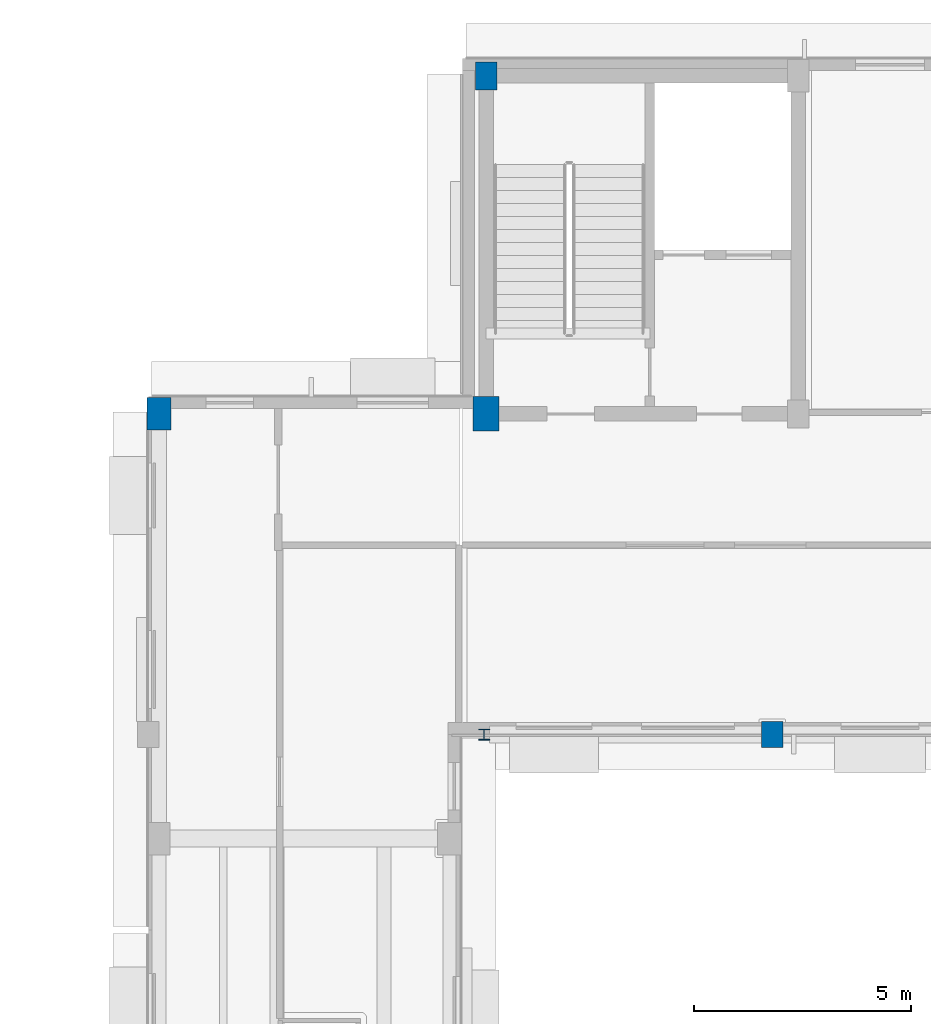
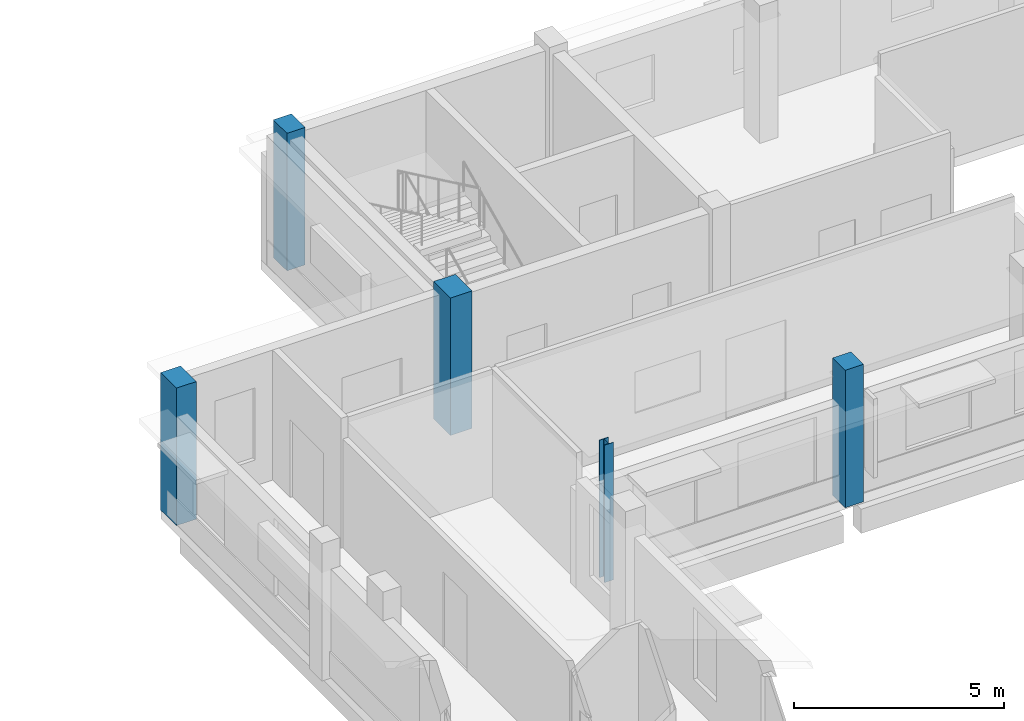
# One storey, part 11 of 89: 5 columns.
"""IFC4 building model written with IfcOpenShell, lengths in metres."""

import ifcopenshell
import ifcopenshell.guid

model = None  # the IFC model being written
_history = None  # IfcOwnerHistory: only IFC2X3 demands one
_inside = {}  # id of a spatial element -> (the spatial element, [elements in it])
_under = {}  # id of a project, library or spatial element -> (it, [spatial elements below it])
_declared = {}  # id of a project -> (the project, [libraries it declares])
_typed = {}  # id of a type object -> (the type object, [elements of that type])
_made_of = {}  # id of a material, layer set ... -> (it, [elements and type objects made of it])


def new_model(schema):
    """Start an empty IFC model of exactly this schema.

    Asked for "IFC4X3", IfcOpenShell would pick the latest addendum, in which some entities
    have other attributes; the version numbers below select the first issue.
    IFC2X3 requires an IfcOwnerHistory on every rooted entity: one is made here for all.
    """
    global model, _history
    if schema == "IFC4X3":
        model = ifcopenshell.file(schema_version=(4, 3, 0, 0))
    else:
        model = ifcopenshell.file(schema=schema)
    _inside.clear()
    _under.clear()
    _declared.clear()
    _typed.clear()
    _made_of.clear()
    _history = None
    if model.schema == "IFC2X3":
        org = make("IfcOrganization", Name="unknown")
        user = make(
            "IfcPersonAndOrganization",
            ThePerson=make("IfcPerson", FamilyName="unknown"),
            TheOrganization=org,
        )
        app = make(
            "IfcApplication",
            ApplicationDeveloper=org,
            Version="unknown",
            ApplicationFullName="unknown",
            ApplicationIdentifier="unknown",
        )
        _history = make(
            "IfcOwnerHistory",
            OwningUser=user,
            OwningApplication=app,
            ChangeAction="ADDED",
            CreationDate=0,
        )
    return model


def make(cls, **values):
    """One entity of the class cls with the attributes given. An attribute that is None is left unset."""
    return model.create_entity(
        cls, **{name: value for name, value in values.items() if value is not None}
    )


def rooted(cls, **values):
    """An entity with a GlobalId (a new one), such as an element, a storey or a relation."""
    return make(cls, GlobalId=ifcopenshell.guid.new(), OwnerHistory=_history, **values)


def si_unit(unit_type, name, prefix=None):
    """IfcSIUnit, for example si_unit("LENGTHUNIT", "METRE", prefix="MILLI")."""
    return make("IfcSIUnit", UnitType=unit_type, Prefix=prefix, Name=name)


def assignment(units):
    """IfcUnitAssignment: the units of a project."""
    return None if units is None else make("IfcUnitAssignment", Units=units)


def point(xyz):
    """IfcCartesianPoint."""
    return None if xyz is None else make("IfcCartesianPoint", Coordinates=xyz)


def direction(xyz):
    """IfcDirection."""
    return None if xyz is None else make("IfcDirection", DirectionRatios=xyz)


def frame(location, z_axis=None, x_axis=None):
    """IfcAxis2Placement3D, a coordinate frame: its origin and axes. An axis left out is left unset."""
    return make(
        "IfcAxis2Placement3D",
        Location=point(location),
        Axis=direction(z_axis),
        RefDirection=direction(x_axis),
    )


def frame_2d(location, x_axis=None):
    """IfcAxis2Placement2D, a coordinate frame in the plane: its origin and x axis."""
    return make(
        "IfcAxis2Placement2D", Location=point(location), RefDirection=direction(x_axis)
    )


def origin():
    """The frame at (0, 0, 0) with its axes left unset."""
    return frame((0.0, 0.0, 0.0))


def origin_2d():
    """The frame at (0, 0) in the plane with its x axis left unset."""
    return frame_2d((0.0, 0.0))


def place(relative_to, where):
    """IfcLocalPlacement: puts the frame where relative to a parent placement (None: the world)."""
    return make(
        "IfcLocalPlacement", PlacementRelTo=relative_to, RelativePlacement=where
    )


def context(
    kind, dimensions, precision=None, world=None, true_north=None, identifier=None
):
    """IfcGeometricRepresentationContext, for example the 3D "Model" context."""
    return make(
        "IfcGeometricRepresentationContext",
        ContextIdentifier=identifier,
        ContextType=kind,
        CoordinateSpaceDimension=dimensions,
        Precision=precision,
        WorldCoordinateSystem=world,
        TrueNorth=true_north,
    )


def subcontext(parent, identifier, kind, view, scale=None):
    """IfcGeometricRepresentationSubContext, for example "Body" below "Model"."""
    return make(
        "IfcGeometricRepresentationSubContext",
        ContextIdentifier=identifier,
        ContextType=kind,
        ParentContext=parent,
        TargetScale=scale,
        TargetView=view,
    )


def project(units=None, contexts=None):
    """IfcProject with its units and contexts."""
    return rooted(
        "IfcProject",
        Name="project",
        RepresentationContexts=contexts,
        UnitsInContext=assignment(units),
    )


def spatial(cls, under=None, at=None, **own):
    """A site, building, storey or space (cls), placed at a placement, below another one or the project."""
    s = rooted(cls, ObjectPlacement=at, **own)
    if under is not None:
        _under.setdefault(under.id(), (under, []))[1].append(s)
    return s


def profile(cls, at=None, kind="AREA", **sizes):
    """A parametric profile (cls). Its sizes go by their IFC names, for example OverallWidth=200.0."""
    return make(cls, ProfileType=kind, Position=at, **sizes)


def rectangle(**sizes):
    """IfcRectangleProfileDef."""
    return profile("IfcRectangleProfileDef", **sizes)


def i_section(**sizes):
    """IfcIShapeProfileDef."""
    return profile("IfcIShapeProfileDef", **sizes)


def extrude(swept, where, along, depth):
    """IfcExtrudedAreaSolid: the profile swept, set in the frame where, extruded along a direction by depth."""
    return make(
        "IfcExtrudedAreaSolid",
        SweptArea=swept,
        Position=where,
        ExtrudedDirection=direction(along),
        Depth=depth,
    )


def shape(context_of_items, identifier, shape_type, items):
    """IfcShapeRepresentation: the items that make up one representation, for example the "Body"."""
    return make(
        "IfcShapeRepresentation",
        ContextOfItems=context_of_items,
        RepresentationIdentifier=identifier,
        RepresentationType=shape_type,
        Items=items,
    )


def material(Name=None, Category=None):
    """IfcMaterial."""
    return make("IfcMaterial", Name=Name, Category=Category)


def material_profile(
    of_material, cross_section, Name=None, Category=None, Priority=None
):
    """IfcMaterialProfile: a cross section and its material."""
    return make(
        "IfcMaterialProfile",
        Name=Name,
        Material=of_material,
        Profile=cross_section,
        Priority=Priority,
        Category=Category,
    )


def profile_set(profiles, Name=None, composite=None):
    """IfcMaterialProfileSet."""
    return make(
        "IfcMaterialProfileSet",
        Name=Name,
        MaterialProfiles=profiles,
        CompositeProfile=composite,
    )


def made_of(thing, what):
    """Note that an element or type object is made of a material, layer set ...; save() writes the relation."""
    if what is not None:
        _made_of.setdefault(what.id(), (what, []))[1].append(thing)
    return thing


def type_object(cls, material=None, **own):
    """A type object (cls), such as IfcWallType, which elements share."""
    return made_of(rooted(cls, **own), material)


def element(
    cls,
    number,
    at=None,
    inside=None,
    cuts=None,
    type_object=None,
    material=None,
    context=None,
    identifier="Body",
    shape_type=None,
    held_by="IfcProductDefinitionShape",
    body=None,
    shapes=None,
    **own,
):
    """One element of the class cls, such as IfcWall. Its Tag is "e" and its number.

    at: its placement. inside: the storey or other place that contains it. cuts: it is an
    opening in that element (IfcRelVoidsElement). A single representation is given by context,
    identifier, shape_type and body (its items); several are given by shapes. held_by: the class
    of the entity that holds the representations. save() writes the other relations.
    """
    e = rooted(cls, Tag="e%d" % number, ObjectPlacement=at, **own)
    if body is not None:
        shapes = [shape(context, identifier, shape_type, body)]
    if shapes is not None:
        e.Representation = make(held_by, Representations=shapes)
    if inside is not None:
        _inside.setdefault(inside.id(), (inside, []))[1].append(e)
    if cuts is not None:
        rooted(
            "IfcRelVoidsElement", RelatingBuildingElement=cuts, RelatedOpeningElement=e
        )
    if type_object is not None:
        _typed.setdefault(type_object.id(), (type_object, []))[1].append(e)
    return made_of(e, material)


def aggregate(whole, parts):
    """IfcRelAggregates: a whole, such as a stair, and the parts it consists of."""
    return rooted("IfcRelAggregates", RelatingObject=whole, RelatedObjects=parts)


def save(model, path):
    """Write the relations noted so far, then the file.

    IfcRelAggregates (storeys below a building ...), IfcRelContainedInSpatialStructure (elements
    in a storey), IfcRelDefinesByType, IfcRelAssociatesMaterial and IfcRelDeclares: one each for
    every whole, place, type object, material and project.
    """
    for whole, parts in _under.values():
        aggregate(whole, parts)
    for where, things in _inside.values():
        rooted(
            "IfcRelContainedInSpatialStructure",
            RelatedElements=things,
            RelatingStructure=where,
        )
    for kind, things in _typed.values():
        rooted("IfcRelDefinesByType", RelatedObjects=things, RelatingType=kind)
    for what, things in _made_of.values():
        rooted("IfcRelAssociatesMaterial", RelatedObjects=things, RelatingMaterial=what)
    for by, libraries in _declared.values():
        rooted("IfcRelDeclares", RelatingContext=by, RelatedDefinitions=libraries)
    model.write(path)


model = new_model("IFC4")

# Units and contexts
model_context = context("Model", 3, precision=1e-05, world=origin(), true_north=direction((0.0, 1.0)))
body_context = subcontext(model_context, "Body", "Model", "MODEL_VIEW")
ifc_project = project(units=[si_unit("LENGTHUNIT", "METRE"), si_unit("AREAUNIT", "SQUARE_METRE"), si_unit("VOLUMEUNIT", "CUBIC_METRE"), si_unit("PLANEANGLEUNIT", "RADIAN"), si_unit("MASSUNIT", "GRAM", prefix="KILO")], contexts=[model_context])

# Site, building, storey
site_placement = place(None, origin())
site = spatial("IfcSite", under=ifc_project, at=site_placement, CompositionType="ELEMENT")
building_placement = place(site_placement, origin())
building = spatial("IfcBuilding", under=site, at=building_placement, Name="Kelanivale Promenade Academy", CompositionType="ELEMENT")
storey_placement = place(building_placement, frame((0.0, 0.0, 12.199951171875)))
storey = spatial("IfcBuildingStorey", under=building, at=storey_placement, Name="L03", CompositionType="ELEMENT", Elevation=12.199951171875)

# Columns
ifc_material_1 = material(Name="Concrete C40/50", Category="concrete")
ifc_material_profile_1 = material_profile(ifc_material_1, rectangle(XDim=0.5, YDim=0.64990234375, at=origin_2d()), Name="RC-COL 500x650")
ifc_profile_set_1 = profile_set([ifc_material_profile_1], Name="Concrete C40/50")
column_type_1 = type_object("IfcColumnType", Name="C-11 RC-COL 500x650", PredefinedType="COLUMN", material=ifc_profile_set_1)
column_1_placement = place(storey_placement, frame((123.39990234375, 111.60009765625, 0.0), z_axis=(0.0, 0.0, 1.0), x_axis=(1.0, 0.0, 0.0)))
element("IfcColumn", 1, at=column_1_placement, inside=storey, type_object=column_type_1, Name="Column C-11 at (123.4, 111.6) L03", PredefinedType="COLUMN", context=body_context, shape_type="SweptSolid", body=[
    extrude(rectangle(XDim=0.5, YDim=0.64990234375, at=origin_2d()), origin(), (0.0, 0.0, 1.0), 4.0),
])
ifc_material_profile_2 = material_profile(ifc_material_1, rectangle(XDim=0.550048828125, YDim=0.75, at=origin_2d()), Name="RC-COL 550x750")
ifc_profile_set_2 = profile_set([ifc_material_profile_2], Name="Concrete C40/50")
column_type_2 = type_object("IfcColumnType", Name="C-13 RC-COL 550x750", PredefinedType="COLUMN", material=ifc_profile_set_2)
column_2_placement = place(storey_placement, frame((115.85009765625, 103.800048828125, 0.0), z_axis=(0.0, 0.0, 1.0), x_axis=(1.0, 0.0, 0.0)))
element("IfcColumn", 2, at=column_2_placement, inside=storey, type_object=column_type_2, Name="Column C-13 at (115.8, 103.8) L03", PredefinedType="COLUMN", context=body_context, shape_type="SweptSolid", body=[
    extrude(rectangle(XDim=0.550048828125, YDim=0.75, at=origin_2d()), origin(), (0.0, 0.0, 1.0), 4.0),
])
ifc_material_profile_3 = material_profile(ifc_material_1, rectangle(XDim=0.60009765625, YDim=0.800048828125, at=origin_2d()), Name="RC-COL 600x800")
ifc_profile_set_3 = profile_set([ifc_material_profile_3], Name="Concrete C40/50")
column_type_3 = type_object("IfcColumnType", Name="C-14 RC-COL 600x800", PredefinedType="COLUMN", material=ifc_profile_set_3)
column_3_placement = place(storey_placement, frame((123.39990234375, 103.800048828125, 0.0), z_axis=(0.0, 0.0, 1.0), x_axis=(1.0, 0.0, 0.0)))
element("IfcColumn", 3, at=column_3_placement, inside=storey, type_object=column_type_3, Name="Column C-14 at (123.4, 103.8) L03", PredefinedType="COLUMN", context=body_context, shape_type="SweptSolid", body=[
    extrude(rectangle(XDim=0.60009765625, YDim=0.800048828125, at=origin_2d()), origin(), (0.0, 0.0, 1.0), 4.0),
])
ifc_material_profile_4 = material_profile(ifc_material_1, rectangle(XDim=0.5, YDim=0.60009765625, at=origin_2d()), Name="RC-PIL 500x600")
ifc_profile_set_4 = profile_set([ifc_material_profile_4], Name="Concrete C40/50")
column_type_4 = type_object("IfcColumnType", Name="PL-18 RC-PIL 500x600", PredefinedType="PILASTER", material=ifc_profile_set_4)
column_4_placement = place(storey_placement, frame((130.0, 96.39990234375, 0.0), z_axis=(0.0, 0.0, 1.0), x_axis=(1.0, 0.0, 0.0)))
element("IfcColumn", 4, at=column_4_placement, inside=storey, type_object=column_type_4, Name="Column PL-18 at (130.0, 96.4) L03", PredefinedType="PILASTER", context=body_context, shape_type="SweptSolid", body=[
    extrude(rectangle(XDim=0.5, YDim=0.60009765625, at=origin_2d()), origin(), (0.0, 0.0, 1.0), 4.0),
])
ifc_material_2 = material(Name="Steel S355", Category="steel")
ifc_material_profile_5 = material_profile(ifc_material_2, i_section(OverallWidth=0.254638671875, OverallDepth=0.254150390625, WebThickness=0.008544921875, FlangeThickness=0.01416015625, FilletRadius=0.0126953125, at=origin_2d()), Name="UC 254x254x73")
ifc_profile_set_5 = profile_set([ifc_material_profile_5], Name="Steel S355")
column_type_5 = type_object("IfcColumnType", Name="SC-02 UC 254x254x73", PredefinedType="COLUMN", material=ifc_profile_set_5)
column_5_placement = place(storey_placement, frame((123.35009765625, 96.39990234375, 0.0), z_axis=(0.0, 0.0, 1.0), x_axis=(1.0, 0.0, 0.0)))
element("IfcColumn", 5, at=column_5_placement, inside=storey, type_object=column_type_5, Name="Column SC-02 at (123.3, 96.4) L03", PredefinedType="COLUMN", context=body_context, shape_type="SweptSolid", body=[
    extrude(i_section(OverallWidth=0.254638671875, OverallDepth=0.254150390625, WebThickness=0.008544921875, FlangeThickness=0.01416015625, FilletRadius=0.0126953125, at=origin_2d()), origin(), (0.0, 0.0, 1.0), 4.0),
])

save(model, "model.ifc")
